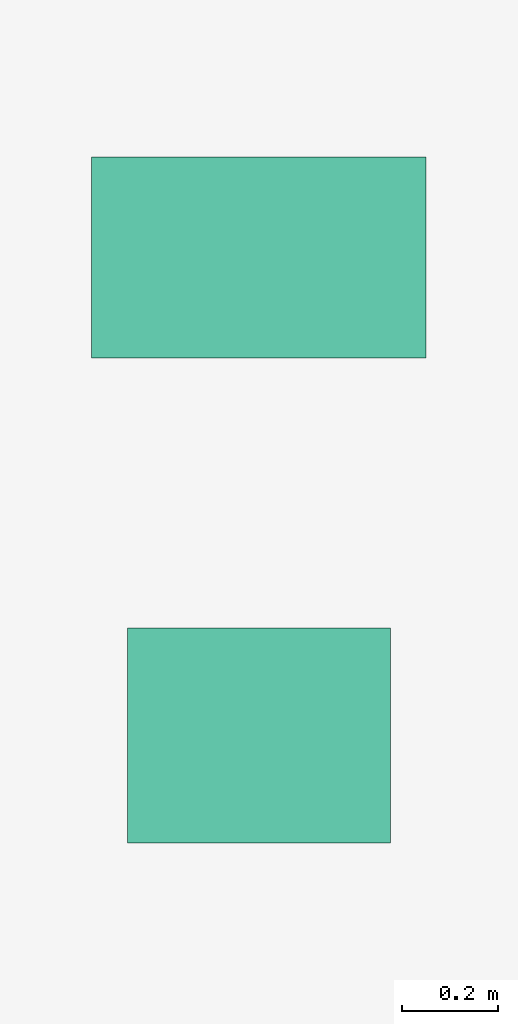
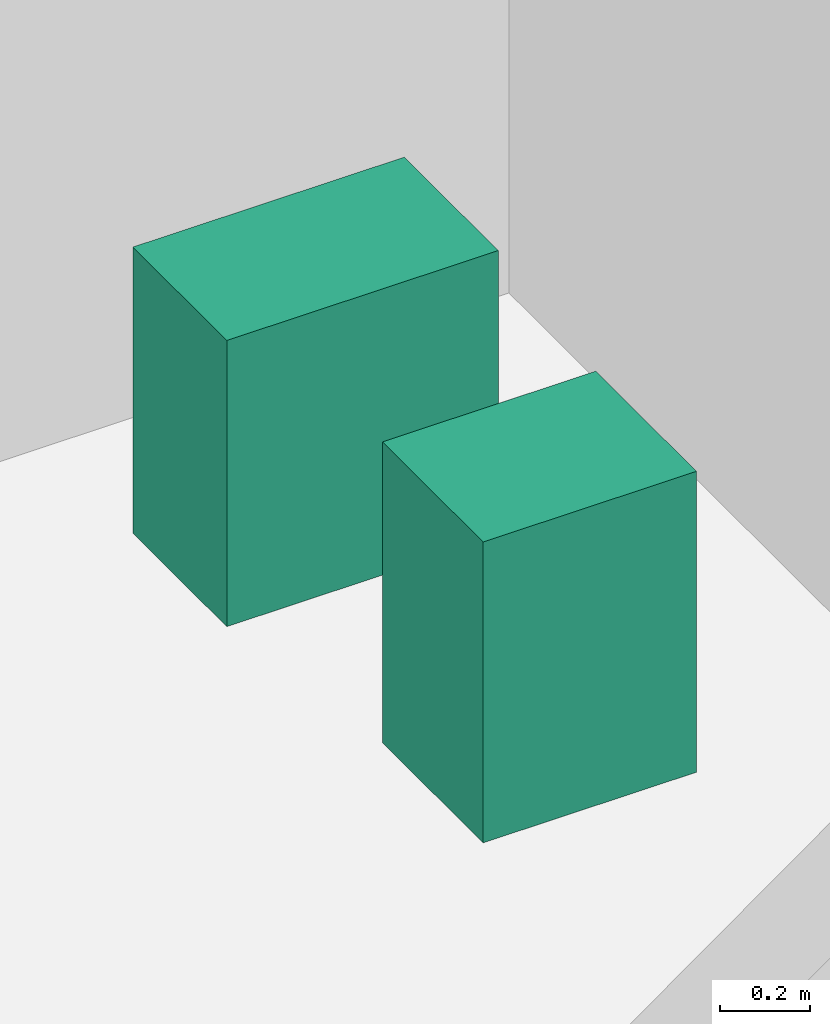
# One storey, part 33 of 33: 2 sanitary terminals.
"""IFC4 building model written with IfcOpenShell, lengths in metres."""

from ifc_helpers import new_model, si_unit, direction, frame, origin, origin_2d, place, context, subcontext, project, spatial, rectangle, extrude, source, transform, mapped, material, type_object, element, save


model = new_model("IFC4")

# Units and contexts
model_context = context("Model", 3, precision=1e-05, world=origin(), true_north=direction((0.0, 1.0)))
body_context = subcontext(model_context, "Body", "Model", "MODEL_VIEW")
ifc_project = project(units=[si_unit("LENGTHUNIT", "METRE"), si_unit("AREAUNIT", "SQUARE_METRE"), si_unit("VOLUMEUNIT", "CUBIC_METRE"), si_unit("PLANEANGLEUNIT", "RADIAN"), si_unit("MASSUNIT", "GRAM", prefix="KILO")], contexts=[model_context])

# Site, building, storey
site_placement = place(None, origin())
site = spatial("IfcSite", under=ifc_project, at=site_placement, CompositionType="ELEMENT")
building_placement = place(site_placement, origin())
building = spatial("IfcBuilding", under=site, at=building_placement, Name="Sumidabori Civic Tower", CompositionType="ELEMENT")
storey_placement = place(building_placement, frame((0.0, 0.0, 66.800048828125)))
storey = spatial("IfcBuildingStorey", under=building, at=storey_placement, Name="L17", CompositionType="ELEMENT", Elevation=66.800048828125)

# Sanitary terminals
ifc_material = material(Name="Vitreous Sanitary Porcelain")
sanitary_terminal_type_1 = type_object("IfcSanitaryTerminalType", Name="SN-WC-1", PredefinedType="TOILETPAN", material=ifc_material)
shared_shape_1 = source(origin(), body_context, "Body", "SweptSolid", [
    extrude(rectangle(XDim=0.699951171875, YDim=0.419921875, at=origin_2d()), origin(), (0.0, 0.0, 1.0), 0.780029296875),
])
sanitary_terminal_1_placement = place(storey_placement, frame((10.800048828125, 21.85009765625, 0.0), z_axis=(0.0, 0.0, 1.0), x_axis=(1.0, 0.0, 0.0)))
element("IfcSanitaryTerminal", 1, at=sanitary_terminal_1_placement, inside=storey, type_object=sanitary_terminal_type_1, Name="Accessible WC Pan L17", PredefinedType="TOILETPAN", context=body_context, shape_type="MappedRepresentation", body=[
    mapped(shared_shape_1, transform((0.0, 0.0, 0.0), x_axis=(1.0, 0.0, 0.0), y_axis=(0.0, 1.0, 0.0), z_axis=(0.0, 0.0, 1.0), scale=1.0)),
])
sanitary_terminal_type_2 = type_object("IfcSanitaryTerminalType", Name="SN-BAS-1", PredefinedType="WASHHANDBASIN", material=ifc_material)
shared_shape_2 = source(origin(), body_context, "Body", "SweptSolid", [
    extrude(rectangle(XDim=0.550048828125, YDim=0.449951171875, at=origin_2d()), origin(), (0.0, 0.0, 1.0), 0.820068359375),
])
sanitary_terminal_2_placement = place(storey_placement, frame((10.800048828125, 20.85009765625, 0.0), z_axis=(0.0, 0.0, 1.0), x_axis=(1.0, 0.0, 0.0)))
element("IfcSanitaryTerminal", 2, at=sanitary_terminal_2_placement, inside=storey, type_object=sanitary_terminal_type_2, Name="Accessible Basin L17", PredefinedType="WASHHANDBASIN", context=body_context, shape_type="MappedRepresentation", body=[
    mapped(shared_shape_2, transform((0.0, 0.0, 0.0), x_axis=(1.0, 0.0, 0.0), y_axis=(0.0, 1.0, 0.0), z_axis=(0.0, 0.0, 1.0), scale=1.0)),
])

save(model, "model.ifc")
